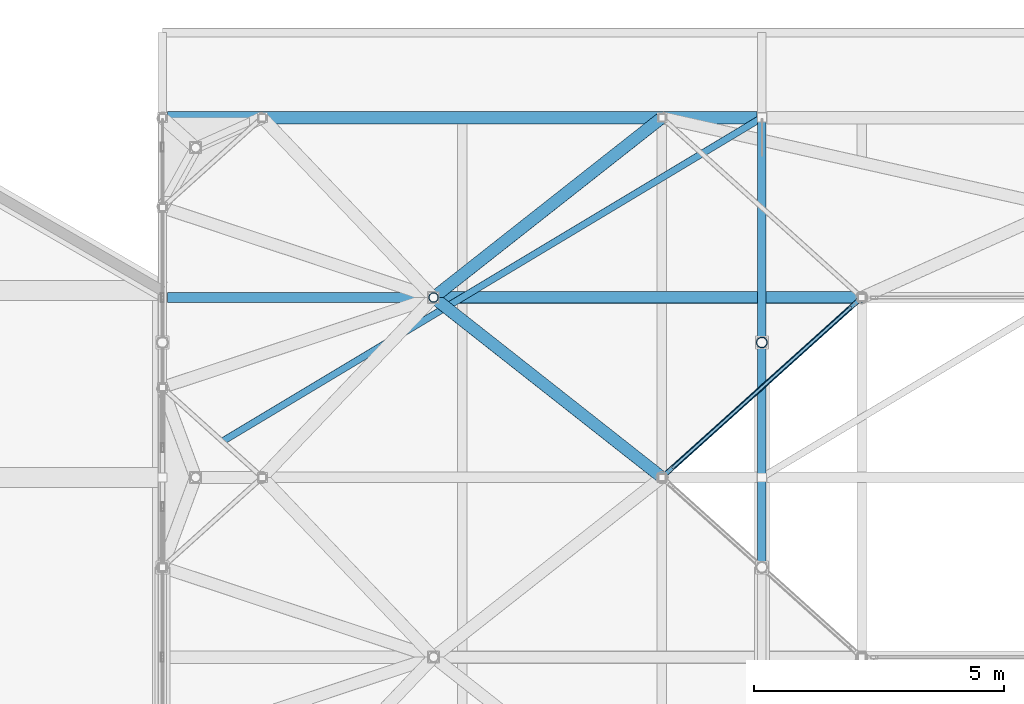
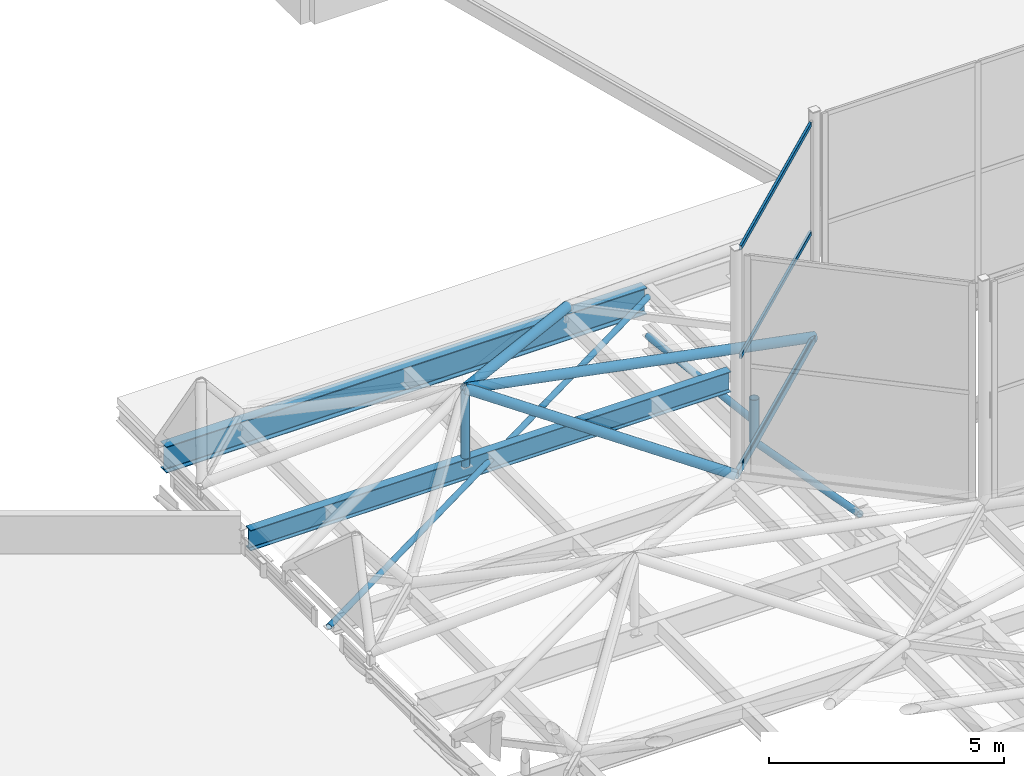
# One storey, part 71 of 239: 11 members, 3 beams, 1 element without a shape of its own.
"""IFC4 building model written with IfcOpenShell, lengths in metres."""

from ifc_helpers import new_model, si_unit, direction, frame, origin, origin_2d, place, context, subcontext, project, spatial, hollow_rectangle, hollow_circle, i_section, extrude, material, layer, layer_set, material_profile, profile_set, type_object, element, aggregate, save


model = new_model("IFC4")

# Units and contexts
model_context = context("Model", 3, precision=1e-05, world=origin(), true_north=direction((0.0, 1.0)))
body_context = subcontext(model_context, "Body", "Model", "MODEL_VIEW")
ifc_project = project(units=[si_unit("LENGTHUNIT", "METRE"), si_unit("AREAUNIT", "SQUARE_METRE"), si_unit("VOLUMEUNIT", "CUBIC_METRE"), si_unit("PLANEANGLEUNIT", "RADIAN"), si_unit("MASSUNIT", "GRAM", prefix="KILO")], contexts=[model_context])

# Site, building, storey
site_placement = place(None, origin())
site = spatial("IfcSite", under=ifc_project, at=site_placement, CompositionType="ELEMENT")
building_placement = place(site_placement, origin())
building = spatial("IfcBuilding", under=site, at=building_placement, Name="Dunvalen Ferry Terminal", CompositionType="ELEMENT")
storey_placement = place(building_placement, frame((0.0, 0.0, 9.840087890625)))
storey = spatial("IfcBuildingStorey", under=building, at=storey_placement, Name="L02", CompositionType="ELEMENT", Elevation=9.840087890625)

# Curtain wall, members
ifc_material_1 = material(Name="Anodised marine aluminium and solar-control glazing", Category="aluminium")
ifc_layer = layer(ifc_material_1, 0.179931640625, Name="Anodised marine aluminium and solar-control glazing")
ifc_layer_set = layer_set([ifc_layer], Name="Anodised marine aluminium and solar-control glazing")
curtain_wall_type = type_object("IfcCurtainWallType", Name="ENV-CW-SYS-06", PredefinedType="NOTDEFINED", material=ifc_layer_set)
curtain_wall_placement = place(storey_placement, origin())
curtain_wall = element("IfcCurtainWall", 1, at=curtain_wall_placement, inside=storey, type_object=curtain_wall_type, Name="L02 Curtain Wall CW-HEX-16-SK-6", PredefinedType="NOTDEFINED")
ifc_material_2 = material(Name="Anodised marine aluminium EN AW-6063 T6", Category="aluminium")
ifc_material_profile_1 = material_profile(ifc_material_2, hollow_rectangle(XDim=0.06005859375, YDim=0.114990234375, WallThickness=0.0029296875, InnerFilletRadius=0.0029296875, OuterFilletRadius=0.006103515625, at=origin_2d()), Name="Anodised marine aluminium EN AW-6063 T6")
ifc_profile_set_1 = profile_set([ifc_material_profile_1], Name="Anodised marine aluminium EN AW-6063 T6")
member_type_1 = type_object("IfcMemberType", Name="ENV-CW-TRN-3", PredefinedType="USERDEFINED", material=ifc_profile_set_1)
member_1_placement = place(storey_placement, frame((25.7919921875, 82.612548828125, 1.169921875), z_axis=(-0.743344500928, -0.668908777742, 0.0), x_axis=(0.668908777742, -0.743344500928, 0.0)))
member_1 = element("IfcMember", 2, at=member_1_placement, type_object=member_type_1, Name="CW-06 transom 1.1", ObjectType="TRANSOM", PredefinedType="USERDEFINED", context=body_context, shape_type="SweptSolid", body=[
    extrude(hollow_rectangle(XDim=0.06005859375, YDim=0.114990234375, WallThickness=0.0029296875, InnerFilletRadius=0.0029296875, OuterFilletRadius=0.006103515625, at=origin_2d()), origin(), (0.0, 0.0, 1.0), 4.821533203125),
])
member_2_placement = place(storey_placement, frame((25.7919921875, 82.612548828125, 3.989990234375), z_axis=(-0.743344500928, -0.668908777742, 0.0), x_axis=(0.668908777742, -0.743344500928, 0.0)))
member_2 = element("IfcMember", 3, at=member_2_placement, type_object=member_type_1, Name="CW-06 transom 1.2", ObjectType="TRANSOM", PredefinedType="USERDEFINED", context=body_context, shape_type="SweptSolid", body=[
    extrude(hollow_rectangle(XDim=0.06005859375, YDim=0.114990234375, WallThickness=0.0029296875, InnerFilletRadius=0.0029296875, OuterFilletRadius=0.006103515625, at=origin_2d()), origin(), (0.0, 0.0, 1.0), 4.821533203125),
])
member_3_placement = place(storey_placement, frame((25.7919921875, 82.612548828125, 6.809814453125), z_axis=(-0.743344500928, -0.668908777742, 0.0), x_axis=(0.668908777742, -0.743344500928, 0.0)))
member_3 = element("IfcMember", 4, at=member_3_placement, type_object=member_type_1, Name="CW-06 transom 1.3", ObjectType="TRANSOM", PredefinedType="USERDEFINED", context=body_context, shape_type="SweptSolid", body=[
    extrude(hollow_rectangle(XDim=0.06005859375, YDim=0.114990234375, WallThickness=0.0029296875, InnerFilletRadius=0.0029296875, OuterFilletRadius=0.006103515625, at=origin_2d()), origin(), (0.0, 0.0, 1.0), 4.821533203125),
])
aggregate(curtain_wall, [member_1, member_2, member_3])

# Beams
ifc_material_3 = material(Name="Steel S355", Category="steel")
ifc_material_profile_2 = material_profile(ifc_material_3, hollow_rectangle(XDim=0.10009765625, YDim=0.199951171875, WallThickness=0.008056640625, InnerFilletRadius=0.008056640625, OuterFilletRadius=0.01611328125, at=origin_2d()), Name="Steel S355")
ifc_profile_set_2 = profile_set([ifc_material_profile_2], Name="Steel S355")
beam_type_1 = type_object("IfcBeamType", Name="STR-BM-RHS200", PredefinedType="BEAM", material=ifc_profile_set_2)
beam_1_placement = place(storey_placement, frame((22.0, 79.199951171875, 1.099853515625), z_axis=(0.743285123004, 0.668974757313, 0.0), x_axis=(-0.668974757313, 0.743285123004, 0.0)))
element("IfcBeam", 5, at=beam_1_placement, inside=storey, type_object=beam_type_1, Name="HEX-11 Hexagonal Rim Beam 4", PredefinedType="BEAM", context=body_context, shape_type="SweptSolid", body=[
    extrude(hollow_rectangle(XDim=0.10009765625, YDim=0.199951171875, WallThickness=0.008056640625, InnerFilletRadius=0.008056640625, OuterFilletRadius=0.01611328125, at=origin_2d()), origin(), (0.0, 0.0, 1.0), 5.381591796875),
])
ifc_material_profile_3 = material_profile(ifc_material_3, i_section(OverallWidth=0.209228515625, OverallDepth=0.533203125, WebThickness=0.010009765625, FlangeThickness=0.015625, FilletRadius=0.0126953125, at=origin_2d()), Name="Steel S355")
ifc_profile_set_3 = profile_set([ifc_material_profile_3], Name="Steel S355")
beam_type_2 = type_object("IfcBeamType", Name="STR-BM-UKB533", PredefinedType="BEAM", material=ifc_profile_set_3)
beam_2_placement = place(storey_placement, frame((12.10009765625, 82.800048828125, 0.7333984375), z_axis=(1.0, 0.0, 0.0), x_axis=(0.0, 1.0, 0.0)))
element("IfcBeam", 6, at=beam_2_placement, inside=storey, type_object=beam_type_2, Name="Departure Hall Spine Girder B1.10", PredefinedType="BEAM", context=body_context, shape_type="SweptSolid", body=[
    extrude(i_section(OverallWidth=0.209228515625, OverallDepth=0.533203125, WebThickness=0.010009765625, FlangeThickness=0.015625, FilletRadius=0.0126953125, at=origin_2d()), origin(), (0.0, 0.0, 1.0), 11.7998046875),
])
ifc_material_profile_4 = material_profile(ifc_material_3, i_section(OverallWidth=0.253662109375, OverallDepth=0.68359375, WebThickness=0.012451171875, FlangeThickness=0.01904296875, FilletRadius=0.01513671875, at=origin_2d()), Name="Steel S355")
ifc_profile_set_4 = profile_set([ifc_material_profile_4], Name="Steel S355")
beam_type_3 = type_object("IfcBeamType", Name="STR-BM-UKB686", PredefinedType="BEAM", material=ifc_profile_set_4)
beam_3_placement = place(storey_placement, frame((12.10009765625, 86.39990234375, 0.658203125), z_axis=(1.0, 0.0, 0.0), x_axis=(0.0, 1.0, 0.0)))
element("IfcBeam", 7, at=beam_3_placement, inside=storey, type_object=beam_type_3, Name="Departure Hall Spine Girder B1.11", PredefinedType="BEAM", context=body_context, shape_type="SweptSolid", body=[
    extrude(i_section(OverallWidth=0.253662109375, OverallDepth=0.68359375, WebThickness=0.012451171875, FlangeThickness=0.01904296875, FilletRadius=0.01513671875, at=origin_2d()), origin(), (0.0, 0.0, 1.0), 11.7998046875),
])

# Members
ifc_material_profile_5 = material_profile(ifc_material_3, hollow_circle(Radius=0.06982421875, WallThickness=0.00634765625, at=origin_2d()), Name="Steel S355")
ifc_profile_set_5 = profile_set([ifc_material_profile_5], Name="Steel S355")
member_type_2 = type_object("IfcMemberType", Name="STR-MB-CHS139", PredefinedType="BRACE", material=ifc_profile_set_5)
member_4_placement = place(storey_placement, frame((12.0, 79.199951171875, 0.659912109375), z_axis=(0.857494465041, 0.514493189871, 0.0), x_axis=(-0.514493189871, 0.857494465041, 0.0)))
element("IfcMember", 8, at=member_4_placement, inside=storey, type_object=member_type_2, Name="Departure Hall Roof Wind Brace 1A", PredefinedType="BRACE", context=body_context, shape_type="SweptSolid", body=[
    extrude(hollow_circle(Radius=0.06982421875, WallThickness=0.00634765625, at=origin_2d()), origin(), (0.0, 0.0, 1.0), 13.994140625),
])
ifc_material_profile_6 = material_profile(ifc_material_3, hollow_circle(Radius=0.084228515625, WallThickness=0.008056640625, at=origin_2d()), Name="Steel S355")
ifc_profile_set_6 = profile_set([ifc_material_profile_6], Name="Steel S355")
member_type_3 = type_object("IfcMemberType", Name="STR-MB-CHS168", PredefinedType="BRACE", material=ifc_profile_set_6)
member_5_placement = place(storey_placement, frame((24.0, 77.39990234375, 0.474853515625), z_axis=(0.0, 0.983218272848, -0.18243307797), x_axis=(-1.0, 0.0, 0.0)))
element("IfcMember", 9, at=member_5_placement, inside=storey, type_object=member_type_3, Name="Departure Hall Arch Web Diagonal 02.7", PredefinedType="BRACE", context=body_context, shape_type="SweptSolid", body=[
    extrude(hollow_circle(Radius=0.084228515625, WallThickness=0.008056640625, at=origin_2d()), origin(), (0.0, 0.0, 1.0), 4.576904296875),
])
member_6_placement = place(storey_placement, frame((24.0, 81.89990234375, 0.168701171875), z_axis=(0.0, 0.993166043245, -0.116709941931), x_axis=(-1.0, 0.0, 0.0)))
element("IfcMember", 10, at=member_6_placement, inside=storey, type_object=member_type_3, Name="Departure Hall Arch Web Diagonal 02.8", PredefinedType="BRACE", context=body_context, shape_type="SweptSolid", body=[
    extrude(hollow_circle(Radius=0.084228515625, WallThickness=0.008056640625, at=origin_2d()), origin(), (0.0, 0.0, 1.0), 4.531005859375),
])
ifc_material_profile_7 = material_profile(ifc_material_3, hollow_circle(Radius=0.096923828125, WallThickness=0.008056640625, at=origin_2d()), Name="Steel S355")
ifc_profile_set_7 = profile_set([ifc_material_profile_7], Name="Steel S355")
member_type_4 = type_object("IfcMemberType", Name="STR-MB-CHS193", PredefinedType="STRUT", material=ifc_profile_set_7)
member_7_placement = place(storey_placement, frame((17.4287109375, 82.800048828125, 0.77001953125), z_axis=(0.0, 0.0, 1.0), x_axis=(1.0, 0.0, 0.0)))
element("IfcMember", 11, at=member_7_placement, inside=storey, type_object=member_type_4, Name="HEX-11 Pyramid Apex Strut", PredefinedType="STRUT", context=body_context, shape_type="SweptSolid", body=[
    extrude(hollow_circle(Radius=0.096923828125, WallThickness=0.008056640625, at=origin_2d()), origin(), (0.0, 0.0, 1.0), 1.994873046875),
])
ifc_material_profile_8 = material_profile(ifc_material_3, hollow_circle(Radius=0.109619140625, WallThickness=0.010009765625, at=origin_2d()), Name="Steel S355")
ifc_profile_set_8 = profile_set([ifc_material_profile_8], Name="Steel S355")
member_type_5 = type_object("IfcMemberType", Name="STR-MB-CHS219", PredefinedType="STRUT", material=ifc_profile_set_8)
member_8_placement = place(storey_placement, frame((24.0, 81.89990234375, -0.360107421875), z_axis=(0.0, 0.0, 1.0), x_axis=(1.0, 0.0, 0.0)))
element("IfcMember", 12, at=member_8_placement, inside=storey, type_object=member_type_5, Name="Departure Hall Arch Spandrel Strut 02.7", PredefinedType="STRUT", context=body_context, shape_type="SweptSolid", body=[
    extrude(hollow_circle(Radius=0.109619140625, WallThickness=0.010009765625, at=origin_2d()), origin(), (0.0, 0.0, 1.0), 1.130126953125),
])
ifc_material_profile_9 = material_profile(ifc_material_3, hollow_circle(Radius=0.122314453125, WallThickness=0.010009765625, at=origin_2d()), Name="Steel S355")
ifc_profile_set_9 = profile_set([ifc_material_profile_9], Name="Steel S355")
member_type_6 = type_object("IfcMemberType", Name="STR-MB-CHS244", PredefinedType="STRUT", material=ifc_profile_set_9)
member_9_placement = place(storey_placement, frame((22.0, 79.199951171875, 1.099853515625), z_axis=(-0.755303948682, 0.594836147579, 0.275110709785), x_axis=(-0.61871061037, -0.785618979287, 0.0)))
element("IfcMember", 13, at=member_9_placement, inside=storey, type_object=member_type_6, Name="HEX-11 Pyramid Hip Rafter 4", PredefinedType="STRUT", context=body_context, shape_type="SweptSolid", body=[
    extrude(hollow_circle(Radius=0.122314453125, WallThickness=0.010009765625, at=origin_2d()), origin(), (0.0, 0.0, 1.0), 6.05224609375),
])
member_10_placement = place(storey_placement, frame((26.0, 82.800048828125, 1.099853515625), z_axis=(-0.981649716778, 0.0, 0.190693034876), x_axis=(0.0, -1.0, 0.0)))
element("IfcMember", 14, at=member_10_placement, inside=storey, type_object=member_type_6, Name="HEX-11 Pyramid Hip Rafter 5", PredefinedType="STRUT", context=body_context, shape_type="SweptSolid", body=[
    extrude(hollow_circle(Radius=0.122314453125, WallThickness=0.010009765625, at=origin_2d()), origin(), (0.0, 0.0, 1.0), 8.7314453125),
])
member_11_placement = place(storey_placement, frame((22.0, 86.39990234375, 1.099853515625), z_axis=(-0.755322072227, -0.594810080911, 0.275117311076), x_axis=(0.618684713088, -0.78563937388, 0.0)))
element("IfcMember", 15, at=member_11_placement, inside=storey, type_object=member_type_6, Name="HEX-11 Pyramid Hip Rafter 6", PredefinedType="STRUT", context=body_context, shape_type="SweptSolid", body=[
    extrude(hollow_circle(Radius=0.122314453125, WallThickness=0.010009765625, at=origin_2d()), origin(), (0.0, 0.0, 1.0), 6.052001953125),
])

save(model, "model.ifc")
